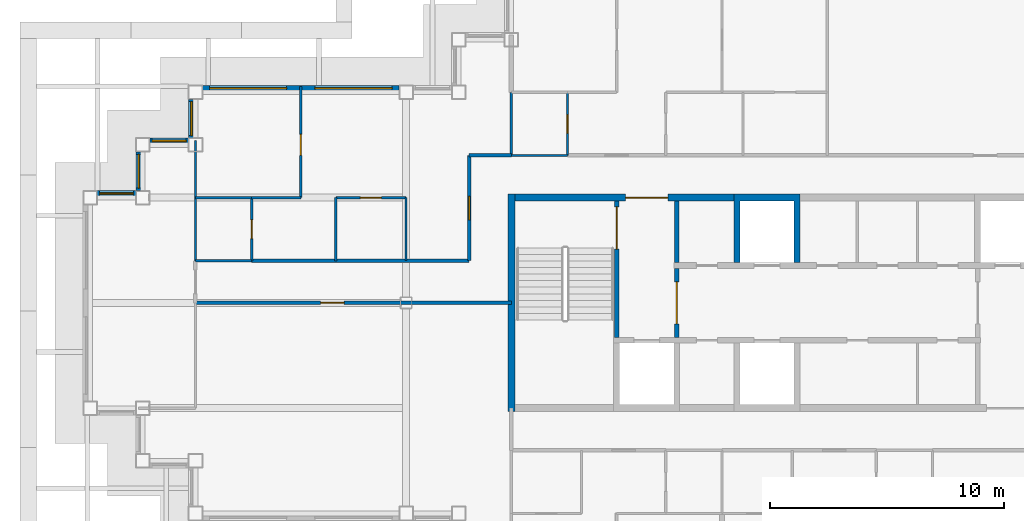
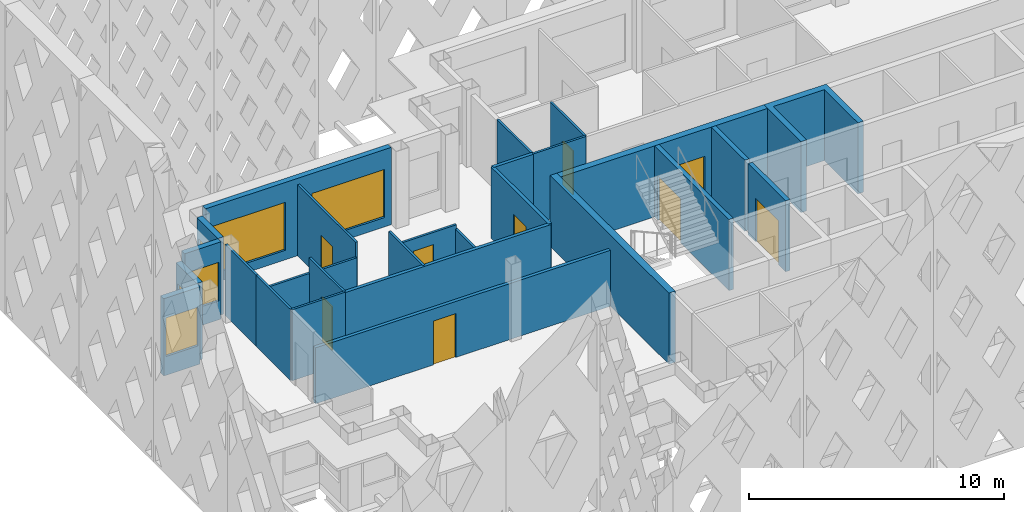
# One storey, part 3 of 15: 28 walls, 9 doors, 6 windows, 15 openings.
"""IFC4 building model written with IfcOpenShell, lengths in metres."""

from ifc_helpers import new_model, si_unit, direction, frame, frame_2d, origin, place, context, subcontext, project, spatial, polyline, rectangle, outline, extrude, material, layer, layer_set, type_object, element, fill, save


model = new_model("IFC4")

# Units and contexts
model_context = context("Model", 3, precision=1e-05, world=origin(), true_north=direction((0.0, 1.0)))
body_context = subcontext(model_context, "Body", "Model", "MODEL_VIEW")
ifc_project = project(units=[si_unit("LENGTHUNIT", "METRE"), si_unit("AREAUNIT", "SQUARE_METRE"), si_unit("VOLUMEUNIT", "CUBIC_METRE"), si_unit("PLANEANGLEUNIT", "RADIAN"), si_unit("MASSUNIT", "GRAM", prefix="KILO")], contexts=[model_context])

# Site, building, storey
site_placement = place(None, origin())
site = spatial("IfcSite", under=ifc_project, at=site_placement, CompositionType="ELEMENT")
building_placement = place(site_placement, origin())
building = spatial("IfcBuilding", under=site, at=building_placement, Name="Caravel Reach Hotel and Residences", CompositionType="ELEMENT")
storey_placement = place(building_placement, frame((0.0, 0.0, 252.699951171875)))
storey = spatial("IfcBuildingStorey", under=building, at=storey_placement, Name="L64", CompositionType="ELEMENT", Elevation=252.699951171875)

# Walls
ifc_material_1 = material(Name="Gypsum board on steel stud", Category="steel")
ifc_layer_1 = layer(ifc_material_1, 0.10009765625)
ifc_layer_set_1 = layer_set([ifc_layer_1], Name="Bathroom pod wall 100 mm")
wall_type_1 = type_object("IfcWallType", Name="Bathroom pod wall 100 mm", PredefinedType="PARTITIONING", material=ifc_layer_set_1)
wall_1_placement = place(storey_placement, frame((4.5, 28.800048828125, 0.0), z_axis=(0.0, 0.0, 1.0), x_axis=(1.0, 0.0, 0.0)))
element("IfcWall", 1, at=wall_1_placement, inside=storey, type_object=wall_type_1, Name="L64 wall w057", PredefinedType="PARTITIONING", context=body_context, shape_type="SweptSolid", body=[
    extrude(rectangle(XDim=2.39990234375, YDim=0.10009765625, at=frame_2d((1.199951171875, 0.0))), origin(), (0.0, 0.0, 1.0), 3.400146484375),
])
wall_2_placement = place(storey_placement, frame((4.5, 31.5, 0.0), z_axis=(0.0, 0.0, 1.0), x_axis=(1.0, 0.0, 0.0)))
element("IfcWall", 2, at=wall_2_placement, inside=storey, type_object=wall_type_1, Name="L64 wall w058", PredefinedType="PARTITIONING", context=body_context, shape_type="SweptSolid", body=[
    extrude(rectangle(XDim=2.39990234375, YDim=0.10009765625, at=frame_2d((1.199951171875, 0.0))), origin(), (0.0, 0.0, 1.0), 2.679931640625),
])
wall_3_placement = place(storey_placement, frame((18.0, 33.300048828125, 0.0), z_axis=(0.0, 0.0, 1.0), x_axis=(1.0, 0.0, 0.0)))
element("IfcWall", 3, at=wall_3_placement, inside=storey, type_object=wall_type_1, Name="L64 wall w059", PredefinedType="PARTITIONING", context=body_context, shape_type="SweptSolid", body=[
    extrude(rectangle(XDim=2.39990234375, YDim=0.10009765625, at=frame_2d((1.199951171875, 0.0))), origin(), (0.0, 0.0, 1.0), 3.400146484375),
])
wall_4_placement = place(storey_placement, frame((18.0, 33.301025390625, 0.0), z_axis=(0.0, 0.0, 1.0), x_axis=(0.0, 1.0, 0.0)))
element("IfcWall", 4, at=wall_4_placement, inside=storey, type_object=wall_type_1, Name="L64 wall w061", PredefinedType="PARTITIONING", context=body_context, shape_type="SweptSolid", body=[
    extrude(rectangle(XDim=2.698974609375, YDim=0.10009765625, at=frame_2d((1.349609375, 0.0))), origin(), (0.0, 0.0, 1.0), 3.400146484375),
])

# Wall, opening, door
wall_5_placement = place(storey_placement, frame((20.39990234375, 33.300048828125, 0.0), z_axis=(0.0, 0.0, 1.0), x_axis=(0.0, 1.0, 0.0)))
wall_5 = element("IfcWall", 5, at=wall_5_placement, inside=storey, type_object=wall_type_1, Name="L64 wall w062", PredefinedType="PARTITIONING", context=body_context, shape_type="SweptSolid", body=[
    extrude(rectangle(XDim=2.699951171875, YDim=0.10009765625, at=frame_2d((1.35009765625, 0.0))), origin(), (0.0, 0.0, 1.0), 3.400146484375),
])
opening_1_placement = place(wall_5_placement, frame((0.949951171875, 0.0, 0.0)))
opening_1 = element("IfcOpeningElement", 6, at=opening_1_placement, cuts=wall_5, Name="Opening D64-019", PredefinedType="OPENING", context=body_context, shape_type="SweptSolid", body=[
    extrude(rectangle(XDim=0.800048828125, YDim=2.10009765625, at=frame_2d((0.39990234375, 1.050048828125))), frame((0.0, 0.06005859375, 0.0), z_axis=(0.0, -1.0, 0.0), x_axis=(1.0, 0.0, 0.0)), (0.0, 0.0, 1.0), 0.1201171875),
])
ifc_material_2 = material(Name="Timber and steel door leaf", Category="steel")
door_type_1 = type_object("IfcDoorType", Name="Bathroom door 800 x 2100", OperationType="SINGLE_SWING_LEFT", PredefinedType="DOOR", material=ifc_material_2)
door_1_placement = place(opening_1_placement, origin())
door_1 = element("IfcDoor", 7, at=door_1_placement, inside=storey, type_object=door_type_1, Name="door D64-019", OperationType="SINGLE_SWING_RIGHT", OverallHeight=2.10009765625, OverallWidth=0.800048828125, PredefinedType="DOOR", context=body_context, shape_type="SweptSolid", body=[
    extrude(rectangle(XDim=0.800048828125, YDim=2.10009765625, at=frame_2d((0.39990234375, 1.050048828125))), frame((0.0, 0.02490234375, 0.0), z_axis=(0.0, -1.0, 0.0), x_axis=(1.0, 0.0, 0.0)), (0.0, 0.0, 1.0), 0.050048828125),
])
fill(opening_1, door_1)

# Wall
wall_6_placement = place(storey_placement, frame((4.5, 28.800048828125, 0.0), z_axis=(0.0, 0.0, 1.0), x_axis=(0.0, 1.0, 0.0)))
element("IfcWall", 8, at=wall_6_placement, inside=storey, type_object=wall_type_1, Name="L64 wall w067", PredefinedType="PARTITIONING", context=body_context, shape_type="SweptSolid", body=[
    extrude(rectangle(XDim=2.699951171875, YDim=0.10009765625, at=frame_2d((1.35009765625, 0.0))), origin(), (0.0, 0.0, 1.0), 3.400146484375),
])

# Wall, opening, door
wall_7_placement = place(storey_placement, frame((6.89990234375, 28.800048828125, 0.0), z_axis=(0.0, 0.0, 1.0), x_axis=(0.0, 1.0, 0.0)))
wall_7 = element("IfcWall", 9, at=wall_7_placement, inside=storey, type_object=wall_type_1, Name="L64 wall w068", PredefinedType="PARTITIONING", context=body_context, shape_type="SweptSolid", body=[
    extrude(rectangle(XDim=2.699951171875, YDim=0.10009765625, at=frame_2d((1.35009765625, 0.0))), origin(), (0.0, 0.0, 1.0), 3.400146484375),
])
opening_2_placement = place(wall_7_placement, frame((0.949951171875, 0.0, 0.0)))
opening_2 = element("IfcOpeningElement", 10, at=opening_2_placement, cuts=wall_7, Name="Opening D64-026", PredefinedType="OPENING", context=body_context, shape_type="SweptSolid", body=[
    extrude(rectangle(XDim=0.800048828125, YDim=2.10009765625, at=frame_2d((0.39990234375, 1.050048828125))), frame((0.0, 0.06005859375, 0.0), z_axis=(0.0, -1.0, 0.0), x_axis=(1.0, 0.0, 0.0)), (0.0, 0.0, 1.0), 0.1201171875),
])
door_2_placement = place(opening_2_placement, origin())
door_2 = element("IfcDoor", 11, at=door_2_placement, inside=storey, type_object=door_type_1, Name="door D64-026", OperationType="SINGLE_SWING_RIGHT", OverallHeight=2.10009765625, OverallWidth=0.800048828125, PredefinedType="DOOR", context=body_context, shape_type="SweptSolid", body=[
    extrude(rectangle(XDim=0.800048828125, YDim=2.10009765625, at=frame_2d((0.39990234375, 1.050048828125))), frame((0.0, 0.02490234375, 0.0), z_axis=(0.0, -1.0, 0.0), x_axis=(1.0, 0.0, 0.0)), (0.0, 0.0, 1.0), 0.050048828125),
])
fill(opening_2, door_2)

# Wall
ifc_material_3 = material(Name="Autoclaved aerated block wall")
ifc_layer_2 = layer(ifc_material_3, 0.199951171875)
ifc_layer_set_2 = layer_set([ifc_layer_2], Name="Compartment wall 200 mm EI 120")
wall_type_2 = type_object("IfcWallType", Name="Compartment wall 200 mm EI 120", PredefinedType="PARTITIONING", material=ifc_layer_set_2)
wall_8_placement = place(storey_placement, frame((25.071533203125, 28.72509765625, 0.0), z_axis=(0.0, 0.0, 1.0), x_axis=(0.0, 1.0, 0.0)))
element("IfcWall", 12, at=wall_8_placement, inside=storey, type_object=wall_type_2, Name="L64 store partition", PredefinedType="PARTITIONING", context=body_context, shape_type="SweptSolid", body=[
    extrude(rectangle(XDim=2.625, YDim=0.199951171875, at=frame_2d((1.3125, 0.0))), origin(), (0.0, 0.0, 1.0), 3.400146484375),
])

# Wall, opening, door
ifc_material_4 = material(Name="Concrete C60", Category="concrete")
ifc_layer_3 = layer(ifc_material_4, 0.300048828125)
ifc_layer_set_3 = layer_set([ifc_layer_3], Name="Core wall 300 mm EI 120")
wall_type_3 = type_object("IfcWallType", Name="Core wall 300 mm EI 120", PredefinedType="SHEAR", material=ifc_layer_set_3)
wall_9_placement = place(storey_placement, frame((18.14990234375, 31.5, 0.0), z_axis=(0.0, 0.0, 1.0), x_axis=(1.0, 0.0, 0.0)))
wall_9 = element("IfcWall", 13, at=wall_9_placement, inside=storey, type_object=wall_type_3, Name="L64 core wall N1", PredefinedType="SHEAR", context=body_context, shape_type="SweptSolid", body=[
    extrude(rectangle(XDim=9.367919921875, YDim=0.300048828125, at=frame_2d((4.68408203125, 0.0))), origin(), (0.0, 0.0, 1.0), 3.400146484375),
])
opening_3_placement = place(wall_9_placement, frame((4.735595703125, 0.0, 0.0)))
opening_3 = element("IfcOpeningElement", 14, at=opening_3_placement, cuts=wall_9, Name="Opening D64-016", PredefinedType="OPENING", context=body_context, shape_type="SweptSolid", body=[
    extrude(rectangle(XDim=1.800048828125, YDim=2.10009765625, at=frame_2d((0.89990234375, 1.050048828125))), frame((0.0, 0.159912109375, 0.0), z_axis=(0.0, -1.0, 0.0), x_axis=(1.0, 0.0, 0.0)), (0.0, 0.0, 1.0), 0.320068359375),
])
ifc_material_5 = material(Name="Steel fire door leaf", Category="steel")
door_type_2 = type_object("IfcDoorType", Name="Fire lobby door pair 1800 x 2100 EI 90", OperationType="DOUBLE_DOOR_SINGLE_SWING", PredefinedType="DOOR", material=ifc_material_5)
door_3_placement = place(opening_3_placement, origin())
door_3 = element("IfcDoor", 15, at=door_3_placement, inside=storey, type_object=door_type_2, Name="lobby N door pair to corridor", OperationType="DOUBLE_DOOR_SINGLE_SWING", OverallHeight=2.10009765625, OverallWidth=1.800048828125, PredefinedType="DOOR", context=body_context, shape_type="SweptSolid", body=[
    extrude(rectangle(XDim=1.800048828125, YDim=2.10009765625, at=frame_2d((0.89990234375, 1.050048828125))), frame((0.0, 0.02490234375, 0.0), z_axis=(0.0, -1.0, 0.0), x_axis=(1.0, 0.0, 0.0)), (0.0, 0.0, 1.0), 0.050048828125),
])
fill(opening_3, door_3)

# Wall
wall_10_placement = place(storey_placement, frame((18.0, 22.35009765625, 0.0), z_axis=(0.0, 0.0, 1.0), x_axis=(0.0, 1.0, 0.0)))
element("IfcWall", 16, at=wall_10_placement, inside=storey, type_object=wall_type_3, Name="L64 core wall W", PredefinedType="SHEAR", context=body_context, shape_type="SweptSolid", body=[
    extrude(rectangle(XDim=9.2998046875, YDim=0.300048828125, at=frame_2d((4.64990234375, 0.0))), origin(), (0.0, 0.0, 1.0), 3.400146484375),
])

# Wall, opening, door
ifc_material_6 = material(Name="Gypsum board on steel stud, fire-rated", Category="steel")
ifc_layer_4 = layer(ifc_material_6, 0.14990234375)
ifc_layer_set_4 = layer_set([ifc_layer_4], Name="Corridor wall 150 mm EI 60")
wall_type_4 = type_object("IfcWallType", Name="Corridor wall 150 mm EI 60", PredefinedType="PARTITIONING", material=ifc_layer_set_4)
wall_11_placement = place(storey_placement, frame((4.5, 27.0, 0.0), z_axis=(0.0, 0.0, 1.0), x_axis=(1.0, 0.0, 0.0)))
wall_11 = element("IfcWall", 17, at=wall_11_placement, inside=storey, type_object=wall_type_4, Name="L64 wall w008", PredefinedType="PARTITIONING", context=body_context, shape_type="SweptSolid", body=[
    extrude(rectangle(XDim=13.5, YDim=0.14990234375, at=frame_2d((6.75, 0.0))), origin(), (0.0, 0.0, 1.0), 2.679931640625),
])
opening_4_placement = place(wall_11_placement, frame((5.35009765625, 0.0, 0.0)))
opening_4 = element("IfcOpeningElement", 18, at=opening_4_placement, cuts=wall_11, Name="Opening D64-029", PredefinedType="OPENING", context=body_context, shape_type="SweptSolid", body=[
    extrude(rectangle(XDim=1.0, YDim=2.10009765625, at=frame_2d((0.5, 1.050048828125))), frame((0.0, 0.0849609375, 0.0), z_axis=(0.0, -1.0, 0.0), x_axis=(1.0, 0.0, 0.0)), (0.0, 0.0, 1.0), 0.169921875),
])
ifc_material_7 = material(Name="Steel fire door leaf", Category="steel")
door_type_3 = type_object("IfcDoorType", Name="Fire door 1000 x 2100 EI 60", OperationType="SINGLE_SWING_LEFT", PredefinedType="DOOR", material=ifc_material_7)
door_4_placement = place(opening_4_placement, origin())
door_4 = element("IfcDoor", 19, at=door_4_placement, inside=storey, type_object=door_type_3, Name="door D64-029", OperationType="SINGLE_SWING_LEFT", OverallHeight=2.10009765625, OverallWidth=1.0, PredefinedType="DOOR", context=body_context, shape_type="SweptSolid", body=[
    extrude(rectangle(XDim=1.0, YDim=2.10009765625, at=frame_2d((0.5, 1.050048828125))), frame((0.0, 0.02490234375, 0.0), z_axis=(0.0, -1.0, 0.0), x_axis=(1.0, 0.0, 0.0)), (0.0, 0.0, 1.0), 0.050048828125),
])
fill(opening_4, door_4)

# Walls
wall_12_placement = place(storey_placement, frame((6.89990234375, 28.800048828125, 0.0), z_axis=(0.0, 0.0, 1.0), x_axis=(1.0, 0.0, 0.0)))
element("IfcWall", 20, at=wall_12_placement, inside=storey, type_object=wall_type_4, Name="L64 wall w009", PredefinedType="PARTITIONING", context=body_context, shape_type="SweptSolid", body=[
    extrude(rectangle(XDim=9.299072265625, YDim=0.14990234375, at=frame_2d((4.6494140625, 0.0))), origin(), (0.0, 0.0, 1.0), 3.400146484375),
])
wall_13_placement = place(storey_placement, frame((16.199951171875, 33.300048828125, 0.0), z_axis=(0.0, 0.0, 1.0), x_axis=(1.0, 0.0, 0.0)))
element("IfcWall", 21, at=wall_13_placement, inside=storey, type_object=wall_type_4, Name="L64 wall w016", PredefinedType="PARTITIONING", context=body_context, shape_type="SweptSolid", body=[
    extrude(rectangle(XDim=1.799072265625, YDim=0.14990234375, at=frame_2d((0.8994140625, 0.0))), origin(), (0.0, 0.0, 1.0), 3.400146484375),
])

# Wall, opening, door
wall_14_placement = place(storey_placement, frame((16.199951171875, 28.801025390625, 0.0), z_axis=(0.0, 0.0, 1.0), x_axis=(0.0, 1.0, 0.0)))
wall_14 = element("IfcWall", 22, at=wall_14_placement, inside=storey, type_object=wall_type_4, Name="L64 wall w017", PredefinedType="PARTITIONING", context=body_context, shape_type="SweptSolid", body=[
    extrude(rectangle(XDim=4.4990234375, YDim=0.14990234375, at=frame_2d((2.24951171875, 0.0))), origin(), (0.0, 0.0, 1.0), 3.400146484375),
])
opening_5_placement = place(wall_14_placement, frame((1.74951171875, 0.0, 0.0)))
opening_5 = element("IfcOpeningElement", 23, at=opening_5_placement, cuts=wall_14, Name="Opening D64-025", PredefinedType="OPENING", context=body_context, shape_type="SweptSolid", body=[
    extrude(rectangle(XDim=1.0, YDim=2.199951171875, at=frame_2d((0.5, 1.10009765625))), frame((0.0, 0.0849609375, 0.0), z_axis=(0.0, -1.0, 0.0), x_axis=(1.0, 0.0, 0.0)), (0.0, 0.0, 1.0), 0.169921875),
])
ifc_material_8 = material(Name="Steel fire door leaf", Category="steel")
door_type_4 = type_object("IfcDoorType", Name="Flat entrance door 1000 x 2200 EI 60", OperationType="SINGLE_SWING_LEFT", PredefinedType="DOOR", material=ifc_material_8)
door_5_placement = place(opening_5_placement, origin())
door_5 = element("IfcDoor", 24, at=door_5_placement, inside=storey, type_object=door_type_4, Name="door D64-025", OperationType="SINGLE_SWING_LEFT", OverallHeight=2.199951171875, OverallWidth=1.0, PredefinedType="DOOR", context=body_context, shape_type="SweptSolid", body=[
    extrude(rectangle(XDim=1.0, YDim=2.199951171875, at=frame_2d((0.5, 1.10009765625))), frame((0.0, 0.02490234375, 0.0), z_axis=(0.0, -1.0, 0.0), x_axis=(1.0, 0.0, 0.0)), (0.0, 0.0, 1.0), 0.050048828125),
])
fill(opening_5, door_5)

# Wall, openings, windows
ifc_material_9 = material(Name="Insulated rainscreen wall, aluminium cladding", Category="aluminium")
ifc_layer_5 = layer(ifc_material_9, 0.25)
ifc_layer_set_5 = layer_set([ifc_layer_5], Name="EW1 Tower rainscreen wall")
wall_type_5 = type_object("IfcWallType", Name="EW1 Tower rainscreen wall", PredefinedType="SOLIDWALL", material=ifc_layer_set_5)
wall_15_placement = place(storey_placement, frame((13.199951171875, 36.175048828125, 0.0), z_axis=(0.0, 0.0, 1.0), x_axis=(-1.0, 0.0, 0.0)))
wall_15 = element("IfcWall", 25, at=wall_15_placement, inside=storey, type_object=wall_type_5, Name="External wall L64 N18.2", PredefinedType="SOLIDWALL", context=body_context, shape_type="SweptSolid", body=[
    extrude(rectangle(XDim=8.39990234375, YDim=0.25, at=frame_2d((4.199951171875, 0.0))), origin(), (0.0, 0.0, 1.0), 3.699951171875),
])
opening_6_placement = place(wall_15_placement, frame((0.300048828125, 0.0, 0.449951171875)))
opening_6 = element("IfcOpeningElement", 26, at=opening_6_placement, cuts=wall_15, Name="Opening WN15", PredefinedType="OPENING", context=body_context, shape_type="SweptSolid", body=[
    extrude(rectangle(XDim=3.300048828125, YDim=2.300048828125, at=frame_2d((1.64990234375, 1.14990234375))), frame((0.0, 0.135009765625, 0.0), z_axis=(0.0, -1.0, 0.0), x_axis=(1.0, 0.0, 0.0)), (0.0, 0.0, 1.0), 0.27001953125),
])
opening_7_placement = place(wall_15_placement, frame((4.800048828125, 0.0, 0.449951171875)))
opening_7 = element("IfcOpeningElement", 27, at=opening_7_placement, cuts=wall_15, Name="Opening WN15", PredefinedType="OPENING", context=body_context, shape_type="SweptSolid", body=[
    extrude(rectangle(XDim=3.300048828125, YDim=2.300048828125, at=frame_2d((1.64990234375, 1.14990234375))), frame((0.0, 0.135009765625, 0.0), z_axis=(0.0, -1.0, 0.0), x_axis=(1.0, 0.0, 0.0)), (0.0, 0.0, 1.0), 0.27001953125),
])
ifc_material_10 = material(Name="Dark low-e glazing in black aluminium frame", Category="aluminium")
window_type_1 = type_object("IfcWindowType", Name="Residence living window 3300 x 2300", PartitioningType="SINGLE_PANEL", PredefinedType="WINDOW", material=ifc_material_10)
window_1_placement = place(opening_6_placement, origin())
window_1 = element("IfcWindow", 28, at=window_1_placement, inside=storey, type_object=window_type_1, Name="Window L64 N18.2.1", OverallHeight=2.300048828125, OverallWidth=3.300048828125, PartitioningType="SINGLE_PANEL", PredefinedType="WINDOW", context=body_context, shape_type="SweptSolid", body=[
    extrude(rectangle(XDim=3.300048828125, YDim=2.300048828125, at=frame_2d((1.64990234375, 1.14990234375))), frame((0.0, 0.030029296875, 0.0), z_axis=(0.0, -1.0, 0.0), x_axis=(1.0, 0.0, 0.0)), (0.0, 0.0, 1.0), 0.06005859375),
])
fill(opening_6, window_1)
window_2_placement = place(opening_7_placement, origin())
window_2 = element("IfcWindow", 29, at=window_2_placement, inside=storey, type_object=window_type_1, Name="Window L64 N18.2.2", OverallHeight=2.300048828125, OverallWidth=3.300048828125, PartitioningType="SINGLE_PANEL", PredefinedType="WINDOW", context=body_context, shape_type="SweptSolid", body=[
    extrude(rectangle(XDim=3.300048828125, YDim=2.300048828125, at=frame_2d((1.64990234375, 1.14990234375))), frame((0.0, 0.030029296875, 0.0), z_axis=(0.0, -1.0, 0.0), x_axis=(1.0, 0.0, 0.0)), (0.0, 0.0, 1.0), 0.06005859375),
])
fill(opening_7, window_2)

# Wall, opening, window
wall_16_placement = place(storey_placement, frame((4.324951171875, 35.699951171875, 0.0), z_axis=(0.0, 0.0, 1.0), x_axis=(0.0, -1.0, 0.0)))
wall_16 = element("IfcWall", 30, at=wall_16_placement, inside=storey, type_object=wall_type_5, Name="External wall L64 W19.1", PredefinedType="SOLIDWALL", context=body_context, shape_type="SweptSolid", body=[
    extrude(rectangle(XDim=1.64990234375, YDim=0.25, at=frame_2d((0.824951171875, 0.0))), origin(), (0.0, 0.0, 1.0), 3.699951171875),
])
opening_8_placement = place(wall_16_placement, frame((0.10009765625, 0.0, 0.89990234375)))
opening_8 = element("IfcOpeningElement", 31, at=opening_8_placement, cuts=wall_16, Name="Opening WN25", PredefinedType="OPENING", context=body_context, shape_type="SweptSolid", body=[
    extrude(rectangle(XDim=1.449951171875, YDim=1.85009765625, at=frame_2d((0.72509765625, 0.925048828125))), frame((0.0, 0.135009765625, 0.0), z_axis=(0.0, -1.0, 0.0), x_axis=(1.0, 0.0, 0.0)), (0.0, 0.0, 1.0), 0.27001953125),
])
ifc_material_11 = material(Name="Dark low-e glazing in black aluminium frame", Category="aluminium")
window_type_2 = type_object("IfcWindowType", Name="Residence bedroom window 1450 x 1850", PartitioningType="SINGLE_PANEL", PredefinedType="WINDOW", material=ifc_material_11)
window_3_placement = place(opening_8_placement, origin())
window_3 = element("IfcWindow", 32, at=window_3_placement, inside=storey, type_object=window_type_2, Name="Window L64 W19.1.1", OverallHeight=1.85009765625, OverallWidth=1.449951171875, PartitioningType="SINGLE_PANEL", PredefinedType="WINDOW", context=body_context, shape_type="SweptSolid", body=[
    extrude(rectangle(XDim=1.449951171875, YDim=1.85009765625, at=frame_2d((0.72509765625, 0.925048828125))), frame((0.0, 0.030029296875, 0.0), z_axis=(0.0, -1.0, 0.0), x_axis=(1.0, 0.0, 0.0)), (0.0, 0.0, 1.0), 0.06005859375),
])
fill(opening_8, window_3)

wall_17_placement = place(storey_placement, frame((4.199951171875, 33.925048828125, 0.0), z_axis=(0.0, 0.0, 1.0), x_axis=(-1.0, 0.0, 0.0)))
wall_17 = element("IfcWall", 33, at=wall_17_placement, inside=storey, type_object=wall_type_5, Name="External wall L64 N20.1", PredefinedType="SOLIDWALL", context=body_context, shape_type="SweptSolid", body=[
    extrude(rectangle(XDim=1.64990234375, YDim=0.25, at=frame_2d((0.824951171875, 0.0))), origin(), (0.0, 0.0, 1.0), 3.699951171875),
])
opening_9_placement = place(wall_17_placement, frame((0.10009765625, 0.0, 0.89990234375)))
opening_9 = element("IfcOpeningElement", 34, at=opening_9_placement, cuts=wall_17, Name="Opening WN25", PredefinedType="OPENING", context=body_context, shape_type="SweptSolid", body=[
    extrude(rectangle(XDim=1.449951171875, YDim=1.85009765625, at=frame_2d((0.72509765625, 0.925048828125))), frame((0.0, 0.135009765625, 0.0), z_axis=(0.0, -1.0, 0.0), x_axis=(1.0, 0.0, 0.0)), (0.0, 0.0, 1.0), 0.27001953125),
])
window_4_placement = place(opening_9_placement, origin())
window_4 = element("IfcWindow", 35, at=window_4_placement, inside=storey, type_object=window_type_2, Name="Window L64 N20.1.1", OverallHeight=1.85009765625, OverallWidth=1.449951171875, PartitioningType="SINGLE_PANEL", PredefinedType="WINDOW", context=body_context, shape_type="SweptSolid", body=[
    extrude(rectangle(XDim=1.449951171875, YDim=1.85009765625, at=frame_2d((0.72509765625, 0.925048828125))), frame((0.0, 0.030029296875, 0.0), z_axis=(0.0, -1.0, 0.0), x_axis=(1.0, 0.0, 0.0)), (0.0, 0.0, 1.0), 0.06005859375),
])
fill(opening_9, window_4)

wall_18_placement = place(storey_placement, frame((2.074951171875, 33.449951171875, 0.0), z_axis=(0.0, 0.0, 1.0), x_axis=(0.0, -1.0, 0.0)))
wall_18 = element("IfcWall", 36, at=wall_18_placement, inside=storey, type_object=wall_type_5, Name="External wall L64 W21.1", PredefinedType="SOLIDWALL", context=body_context, shape_type="SweptSolid", body=[
    extrude(rectangle(XDim=1.64990234375, YDim=0.25, at=frame_2d((0.824951171875, 0.0))), origin(), (0.0, 0.0, 1.0), 3.699951171875),
])
opening_10_placement = place(wall_18_placement, frame((0.10009765625, 0.0, 0.89990234375)))
opening_10 = element("IfcOpeningElement", 37, at=opening_10_placement, cuts=wall_18, Name="Opening WN25", PredefinedType="OPENING", context=body_context, shape_type="SweptSolid", body=[
    extrude(rectangle(XDim=1.449951171875, YDim=1.85009765625, at=frame_2d((0.72509765625, 0.925048828125))), frame((0.0, 0.135009765625, 0.0), z_axis=(0.0, -1.0, 0.0), x_axis=(1.0, 0.0, 0.0)), (0.0, 0.0, 1.0), 0.27001953125),
])
window_5_placement = place(opening_10_placement, origin())
window_5 = element("IfcWindow", 38, at=window_5_placement, inside=storey, type_object=window_type_2, Name="Window L64 W21.1.1", OverallHeight=1.85009765625, OverallWidth=1.449951171875, PartitioningType="SINGLE_PANEL", PredefinedType="WINDOW", context=body_context, shape_type="SweptSolid", body=[
    extrude(rectangle(XDim=1.449951171875, YDim=1.85009765625, at=frame_2d((0.72509765625, 0.925048828125))), frame((0.0, 0.030029296875, 0.0), z_axis=(0.0, -1.0, 0.0), x_axis=(1.0, 0.0, 0.0)), (0.0, 0.0, 1.0), 0.06005859375),
])
fill(opening_10, window_5)

wall_19_placement = place(storey_placement, frame((1.949951171875, 31.675048828125, 0.0), z_axis=(0.0, 0.0, 1.0), x_axis=(-1.0, 0.0, 0.0)))
wall_19 = element("IfcWall", 39, at=wall_19_placement, inside=storey, type_object=wall_type_5, Name="External wall L64 N22.1", PredefinedType="SOLIDWALL", context=body_context, shape_type="SweptSolid", body=[
    extrude(rectangle(XDim=1.64990234375, YDim=0.25, at=frame_2d((0.824951171875, 0.0))), origin(), (0.0, 0.0, 1.0), 3.699951171875),
])
opening_11_placement = place(wall_19_placement, frame((0.10009765625, 0.0, 0.89990234375)))
opening_11 = element("IfcOpeningElement", 40, at=opening_11_placement, cuts=wall_19, Name="Opening WN25", PredefinedType="OPENING", context=body_context, shape_type="SweptSolid", body=[
    extrude(rectangle(XDim=1.449951171875, YDim=1.85009765625, at=frame_2d((0.72509765625, 0.925048828125))), frame((0.0, 0.135009765625, 0.0), z_axis=(0.0, -1.0, 0.0), x_axis=(1.0, 0.0, 0.0)), (0.0, 0.0, 1.0), 0.27001953125),
])
window_6_placement = place(opening_11_placement, origin())
window_6 = element("IfcWindow", 41, at=window_6_placement, inside=storey, type_object=window_type_2, Name="Window L64 N22.1.1", OverallHeight=1.85009765625, OverallWidth=1.449951171875, PartitioningType="SINGLE_PANEL", PredefinedType="WINDOW", context=body_context, shape_type="SweptSolid", body=[
    extrude(rectangle(XDim=1.449951171875, YDim=1.85009765625, at=frame_2d((0.72509765625, 0.925048828125))), frame((0.0, 0.030029296875, 0.0), z_axis=(0.0, -1.0, 0.0), x_axis=(1.0, 0.0, 0.0)), (0.0, 0.0, 1.0), 0.06005859375),
])
fill(opening_11, window_6)

# Wall, opening, door
ifc_material_12 = material(Name="Autoclaved aerated block wall")
ifc_layer_6 = layer(ifc_material_12, 0.199951171875)
ifc_layer_set_6 = layer_set([ifc_layer_6], Name="Fire lobby wall 200 mm EI 120")
wall_type_6 = type_object("IfcWallType", Name="Fire lobby wall 200 mm EI 120", PredefinedType="PARTITIONING", material=ifc_layer_set_6)
wall_20_placement = place(storey_placement, frame((25.071533203125, 25.52490234375, 0.0), z_axis=(0.0, 0.0, 1.0), x_axis=(0.0, 1.0, 0.0)))
wall_20 = element("IfcWall", 42, at=wall_20_placement, inside=storey, type_object=wall_type_6, Name="L64 lobby W wall", PredefinedType="PARTITIONING", context=body_context, shape_type="SweptSolid", body=[
    extrude(rectangle(XDim=2.9501953125, YDim=0.199951171875, at=frame_2d((1.47509765625, 0.0))), origin(), (0.0, 0.0, 1.0), 3.400146484375),
])
opening_12_placement = place(wall_20_placement, frame((0.574951171875, 0.0, 0.0)))
opening_12 = element("IfcOpeningElement", 43, at=opening_12_placement, cuts=wall_20, Name="Opening D64-014", PredefinedType="OPENING", context=body_context, shape_type="SweptSolid", body=[
    extrude(rectangle(XDim=1.800048828125, YDim=2.10009765625, at=frame_2d((0.89990234375, 1.050048828125))), frame((0.0, 0.10986328125, 0.0), z_axis=(0.0, -1.0, 0.0), x_axis=(1.0, 0.0, 0.0)), (0.0, 0.0, 1.0), 0.219970703125),
])
door_6_placement = place(opening_12_placement, origin())
door_6 = element("IfcDoor", 44, at=door_6_placement, inside=storey, type_object=door_type_2, Name="lobby W door pair", OperationType="DOUBLE_DOOR_SINGLE_SWING", OverallHeight=2.10009765625, OverallWidth=1.800048828125, PredefinedType="DOOR", context=body_context, shape_type="SweptSolid", body=[
    extrude(rectangle(XDim=1.800048828125, YDim=2.10009765625, at=frame_2d((0.89990234375, 1.050048828125))), frame((0.0, 0.02490234375, 0.0), z_axis=(0.0, -1.0, 0.0), x_axis=(1.0, 0.0, 0.0)), (0.0, 0.0, 1.0), 0.050048828125),
])
fill(opening_12, door_6)

# Wall
ifc_material_13 = material(Name="Gypsum board on steel stud", Category="steel")
ifc_layer_7 = layer(ifc_material_13, 0.10009765625)
ifc_layer_set_7 = layer_set([ifc_layer_7], Name="Partition 100 mm")
wall_type_7 = type_object("IfcWallType", Name="Partition 100 mm", PredefinedType="PARTITIONING", material=ifc_layer_set_7)
wall_21_placement = place(storey_placement, frame((6.89990234375, 31.5, 0.0), z_axis=(0.0, 0.0, 1.0), x_axis=(1.0, 0.0, 0.0)))
element("IfcWall", 45, at=wall_21_placement, inside=storey, type_object=wall_type_7, Name="L64 wall w026", PredefinedType="PARTITIONING", context=body_context, shape_type="SweptSolid", body=[
    extrude(rectangle(XDim=2.10009765625, YDim=0.10009765625, at=frame_2d((1.050048828125, 0.0))), origin(), (0.0, 0.0, 1.0), 2.679931640625),
])

# Wall, opening, door
wall_22_placement = place(storey_placement, frame((10.5, 31.5, 0.0), z_axis=(0.0, 0.0, 1.0), x_axis=(1.0, 0.0, 0.0)))
wall_22 = element("IfcWall", 46, at=wall_22_placement, inside=storey, type_object=wall_type_7, Name="L64 wall w027", PredefinedType="PARTITIONING", context=body_context, shape_type="SweptSolid", body=[
    extrude(rectangle(XDim=3.0, YDim=0.10009765625, at=frame_2d((1.5, 0.0))), origin(), (0.0, 0.0, 1.0), 2.679931640625),
])
opening_13_placement = place(wall_22_placement, frame((1.050048828125, 0.0, 0.0)))
opening_13 = element("IfcOpeningElement", 47, at=opening_13_placement, cuts=wall_22, Name="Opening D64-027", PredefinedType="OPENING", context=body_context, shape_type="SweptSolid", body=[
    extrude(rectangle(XDim=0.89990234375, YDim=2.10009765625, at=frame_2d((0.449951171875, 1.050048828125))), frame((0.0, 0.06005859375, 0.0), z_axis=(0.0, -1.0, 0.0), x_axis=(1.0, 0.0, 0.0)), (0.0, 0.0, 1.0), 0.1201171875),
])
ifc_material_14 = material(Name="Timber and steel door leaf", Category="steel")
door_type_5 = type_object("IfcDoorType", Name="Door 900 x 2100 timber", OperationType="SINGLE_SWING_LEFT", PredefinedType="DOOR", material=ifc_material_14)
door_7_placement = place(opening_13_placement, origin())
door_7 = element("IfcDoor", 48, at=door_7_placement, inside=storey, type_object=door_type_5, Name="door D64-027", OperationType="SINGLE_SWING_RIGHT", OverallHeight=2.10009765625, OverallWidth=0.89990234375, PredefinedType="DOOR", context=body_context, shape_type="SweptSolid", body=[
    extrude(rectangle(XDim=0.89990234375, YDim=2.10009765625, at=frame_2d((0.449951171875, 1.050048828125))), frame((0.0, 0.02490234375, 0.0), z_axis=(0.0, -1.0, 0.0), x_axis=(1.0, 0.0, 0.0)), (0.0, 0.0, 1.0), 0.050048828125),
])
fill(opening_13, door_7)

# Walls
wall_23_placement = place(storey_placement, frame((10.5, 28.800048828125, 0.0), z_axis=(0.0, 0.0, 1.0), x_axis=(0.0, 1.0, 0.0)))
element("IfcWall", 49, at=wall_23_placement, inside=storey, type_object=wall_type_7, Name="L64 wall w032", PredefinedType="PARTITIONING", context=body_context, shape_type="SweptSolid", body=[
    extrude(rectangle(XDim=2.699951171875, YDim=0.10009765625, at=frame_2d((1.35009765625, 0.0))), origin(), (0.0, 0.0, 1.0), 3.400146484375),
])
wall_24_placement = place(storey_placement, frame((13.5, 28.801025390625, 0.0), z_axis=(0.0, 0.0, 1.0), x_axis=(0.0, 1.0, 0.0)))
element("IfcWall", 50, at=wall_24_placement, inside=storey, type_object=wall_type_7, Name="L64 wall w033", PredefinedType="PARTITIONING", context=body_context, shape_type="SweptSolid", body=[
    extrude(rectangle(XDim=2.698974609375, YDim=0.10009765625, at=frame_2d((1.349609375, 0.0))), origin(), (0.0, 0.0, 1.0), 2.47998046875),
])
wall_25_placement = place(storey_placement, frame((4.5, 31.5009765625, 0.0), z_axis=(0.0, 0.0, 1.0), x_axis=(0.0, 1.0, 0.0)))
element("IfcWall", 51, at=wall_25_placement, inside=storey, type_object=wall_type_7, Name="L64 wall w047", PredefinedType="PARTITIONING", context=body_context, shape_type="SweptSolid", body=[
    extrude(rectangle(XDim=2.43896484375, YDim=0.10009765625, at=frame_2d((1.219482421875, 0.0))), origin(), (0.0, 0.0, 1.0), 3.400146484375),
])

# Wall, opening, door
wall_26_placement = place(storey_placement, frame((9.0, 31.5, 0.0), z_axis=(0.0, 0.0, 1.0), x_axis=(0.0, 1.0, 0.0)))
wall_26 = element("IfcWall", 52, at=wall_26_placement, inside=storey, type_object=wall_type_7, Name="L64 wall w050", PredefinedType="PARTITIONING", context=body_context, shape_type="SweptSolid", body=[
    extrude(rectangle(XDim=4.739990234375, YDim=0.10009765625, at=frame_2d((2.3701171875, 0.0))), origin(), (0.0, 0.0, 1.0), 3.400146484375),
])
opening_14_placement = place(wall_26_placement, frame((1.800048828125, 0.0, 0.0)))
opening_14 = element("IfcOpeningElement", 53, at=opening_14_placement, cuts=wall_26, Name="Opening D64-028", PredefinedType="OPENING", context=body_context, shape_type="SweptSolid", body=[
    extrude(rectangle(XDim=0.89990234375, YDim=2.10009765625, at=frame_2d((0.449951171875, 1.050048828125))), frame((0.0, 0.06005859375, 0.0), z_axis=(0.0, -1.0, 0.0), x_axis=(1.0, 0.0, 0.0)), (0.0, 0.0, 1.0), 0.1201171875),
])
door_8_placement = place(opening_14_placement, origin())
door_8 = element("IfcDoor", 54, at=door_8_placement, inside=storey, type_object=door_type_5, Name="door D64-028", OperationType="SINGLE_SWING_RIGHT", OverallHeight=2.10009765625, OverallWidth=0.89990234375, PredefinedType="DOOR", context=body_context, shape_type="SweptSolid", body=[
    extrude(rectangle(XDim=0.89990234375, YDim=2.10009765625, at=frame_2d((0.449951171875, 1.050048828125))), frame((0.0, 0.02490234375, 0.0), z_axis=(0.0, -1.0, 0.0), x_axis=(1.0, 0.0, 0.0)), (0.0, 0.0, 1.0), 0.050048828125),
])
fill(opening_14, door_8)

# Wall
ifc_material_15 = material(Name="Concrete C60", Category="concrete")
ifc_layer_8 = layer(ifc_material_15, 0.25)
ifc_layer_set_8 = layer_set([ifc_layer_8], Name="Shaft wall 250 mm EI 120")
wall_type_8 = type_object("IfcWallType", Name="Shaft wall 250 mm EI 120", PredefinedType="SHEAR", material=ifc_layer_set_8)
wall_27_placement = place(storey_placement, origin())
element("IfcWall", 55, at=wall_27_placement, inside=storey, type_object=wall_type_8, Name="L64 lift shaft wall N1", PredefinedType="SHEAR", context=body_context, shape_type="SweptSolid", body=[
    extrude(outline(polyline([(27.517822265625, 28.72509765625), (27.767822265625, 28.72509765625), (27.767822265625, 31.35009765625), (30.08935546875, 31.35009765625), (30.08935546875, 28.72509765625), (30.33935546875, 28.72509765625), (30.33935546875, 31.64990234375), (27.517822265625, 31.64990234375), (27.517822265625, 28.72509765625)])), origin(), (0.0, 0.0, 1.0), 3.400146484375),
])

# Wall, opening, door
ifc_material_16 = material(Name="Concrete C60", Category="concrete")
ifc_layer_9 = layer(ifc_material_16, 0.199951171875)
ifc_layer_set_9 = layer_set([ifc_layer_9], Name="Stair enclosure wall 200 mm EI 120")
wall_type_9 = type_object("IfcWallType", Name="Stair enclosure wall 200 mm EI 120", PredefinedType="SHEAR", material=ifc_layer_set_9)
wall_28_placement = place(storey_placement, frame((22.5, 31.35009765625, 0.0), z_axis=(0.0, 0.0, 1.0), x_axis=(0.0, -1.0, 0.0)))
wall_28 = element("IfcWall", 56, at=wall_28_placement, inside=storey, type_object=wall_type_9, Name="L64 stair A wall", PredefinedType="SHEAR", context=body_context, shape_type="SweptSolid", body=[
    extrude(rectangle(XDim=5.8251953125, YDim=0.199951171875, at=frame_2d((2.91259765625, 0.0))), origin(), (0.0, 0.0, 1.0), 3.400146484375),
])
opening_15_placement = place(wall_28_placement, frame((0.25, 0.0, 0.0)))
opening_15 = element("IfcOpeningElement", 57, at=opening_15_placement, cuts=wall_28, Name="Opening D64-012", PredefinedType="OPENING", context=body_context, shape_type="SweptSolid", body=[
    extrude(rectangle(XDim=1.800048828125, YDim=2.10009765625, at=frame_2d((0.89990234375, 1.050048828125))), frame((0.0, 0.10986328125, 0.0), z_axis=(0.0, -1.0, 0.0), x_axis=(1.0, 0.0, 0.0)), (0.0, 0.0, 1.0), 0.219970703125),
])
ifc_material_17 = material(Name="Steel fire door leaf", Category="steel")
door_type_6 = type_object("IfcDoorType", Name="Stair door pair 1800 x 2100 EI 90", OperationType="DOUBLE_DOOR_SINGLE_SWING", PredefinedType="DOOR", material=ifc_material_17)
door_9_placement = place(opening_15_placement, origin())
door_9 = element("IfcDoor", 58, at=door_9_placement, inside=storey, type_object=door_type_6, Name="stair A door pair", OperationType="DOUBLE_DOOR_SINGLE_SWING", OverallHeight=2.10009765625, OverallWidth=1.800048828125, PredefinedType="DOOR", context=body_context, shape_type="SweptSolid", body=[
    extrude(rectangle(XDim=1.800048828125, YDim=2.10009765625, at=frame_2d((0.89990234375, 1.050048828125))), frame((0.0, 0.02490234375, 0.0), z_axis=(0.0, -1.0, 0.0), x_axis=(1.0, 0.0, 0.0)), (0.0, 0.0, 1.0), 0.050048828125),
])
fill(opening_15, door_9)

save(model, "model.ifc")
